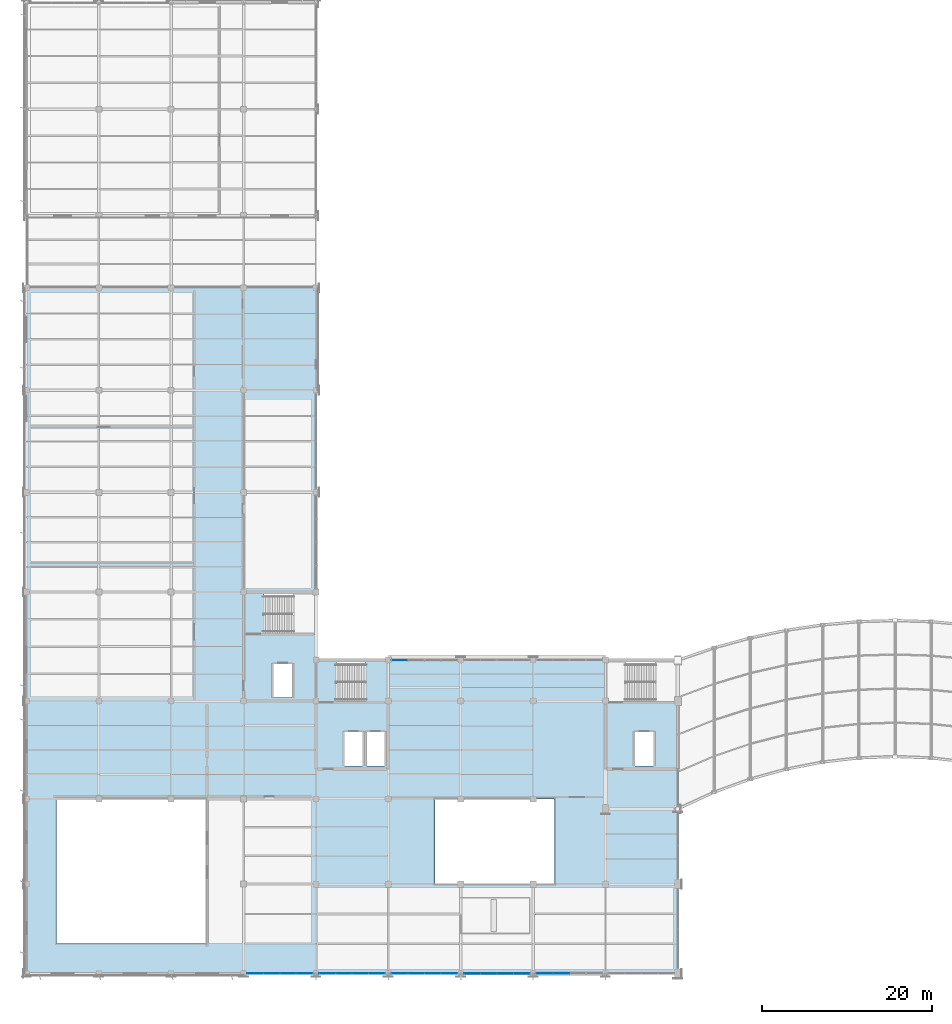
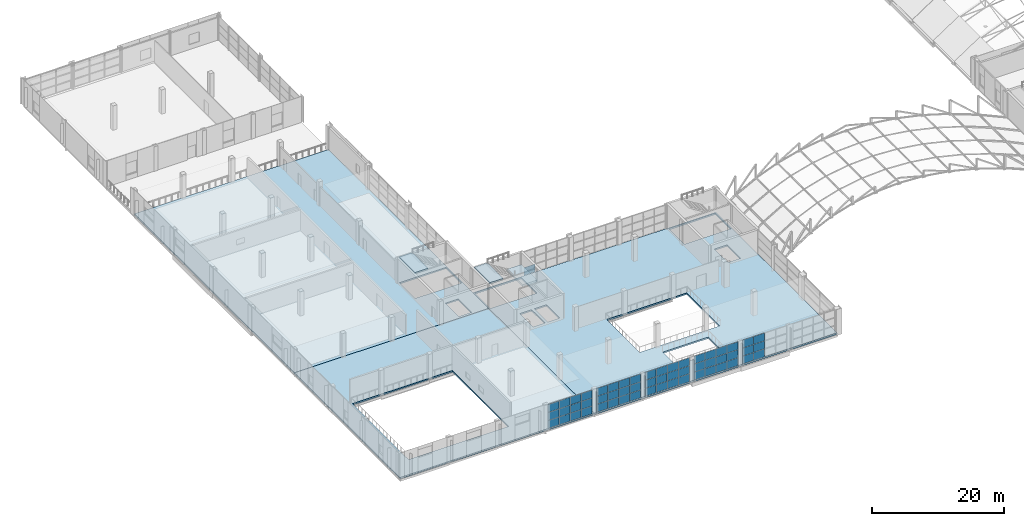
# One storey, part 76 of 101: 55 plates, 6 slabs, 8 elements without a shape of their own.
"""IFC4 building model written with IfcOpenShell, lengths in metres."""

from ifc_helpers import new_model, si_unit, direction, frame, origin, origin_2d, place, context, subcontext, project, spatial, polyline, rectangle, outline, extrude, material, layer, layer_set, type_object, element, aggregate, save


model = new_model("IFC4")

# Units and contexts
model_context = context("Model", 3, precision=1e-05, world=origin(), true_north=direction((0.0, 1.0)))
body_context = subcontext(model_context, "Body", "Model", "MODEL_VIEW")
ifc_project = project(units=[si_unit("LENGTHUNIT", "METRE"), si_unit("AREAUNIT", "SQUARE_METRE"), si_unit("VOLUMEUNIT", "CUBIC_METRE"), si_unit("PLANEANGLEUNIT", "RADIAN"), si_unit("MASSUNIT", "GRAM", prefix="KILO")], contexts=[model_context])

# Site, building, storey
site_placement = place(None, origin())
site = spatial("IfcSite", under=ifc_project, at=site_placement, CompositionType="ELEMENT")
building_placement = place(site_placement, origin())
building = spatial("IfcBuilding", under=site, at=building_placement, Name="Solvikara Media Centre", CompositionType="ELEMENT")
storey_placement = place(building_placement, frame((0.0, 0.0, 10.199951171875)))
storey = spatial("IfcBuildingStorey", under=building, at=storey_placement, Name="L02", CompositionType="ELEMENT", Elevation=10.199951171875)

# Curtain wall, plates
ifc_material_1 = material(Name="Anodised aluminium EN AW-6063", Category="aluminium")
curtain_wall_type_1 = type_object("IfcCurtainWallType", Name="CW-04", PredefinedType="NOTDEFINED", material=ifc_material_1)
curtain_wall_1_placement = place(storey_placement, origin())
curtain_wall_1 = element("IfcCurtainWall", 1, at=curtain_wall_1_placement, inside=storey, type_object=curtain_wall_type_1, Name="CW-L02-V6S-1", PredefinedType="NOTDEFINED")
ifc_material_2 = material(Name="Double-glazed low-E architectural glass", Category="glass")
ifc_layer_1 = layer(ifc_material_2, 0.035888671875)
ifc_layer_set_1 = layer_set([ifc_layer_1], Name="Double-glazed low-E architectural glass")
plate_type_1 = type_object("IfcPlateType", Name="PN-06", PredefinedType="CURTAIN_PANEL", material=ifc_layer_set_1)
plate_1_placement = place(storey_placement, frame((35.35498046875, 0.0, 0.034423828125), z_axis=(0.0, 0.0, 1.0), x_axis=(1.0, 0.0, 0.0)))
plate_1 = element("IfcPlate", 2, at=plate_1_placement, type_object=plate_type_1, Name="CW-L02-V6S-1-P0000", PredefinedType="CURTAIN_PANEL", context=body_context, shape_type="SweptSolid", body=[
    extrude(rectangle(XDim=1.89990234375, YDim=0.035888671875, at=origin_2d()), origin(), (0.0, 0.0, 1.0), 1.45703125),
])
plate_2_placement = place(storey_placement, frame((35.35498046875, 0.0, 3.008544921875), z_axis=(0.0, 0.0, 1.0), x_axis=(1.0, 0.0, 0.0)))
plate_2 = element("IfcPlate", 3, at=plate_2_placement, type_object=plate_type_1, Name="CW-L02-V6S-1-P0002", PredefinedType="CURTAIN_PANEL", context=body_context, shape_type="SweptSolid", body=[
    extrude(rectangle(XDim=1.89990234375, YDim=0.035888671875, at=origin_2d()), origin(), (0.0, 0.0, 1.0), 1.45703125),
])
plate_3_placement = place(storey_placement, frame((37.284912109375, 0.0, 1.521484375), z_axis=(0.0, 0.0, 1.0), x_axis=(1.0, 0.0, 0.0)))
plate_3 = element("IfcPlate", 4, at=plate_3_placement, type_object=plate_type_1, Name="CW-L02-V6S-1-P0101", PredefinedType="CURTAIN_PANEL", context=body_context, shape_type="SweptSolid", body=[
    extrude(rectangle(XDim=1.89990234375, YDim=0.035888671875, at=origin_2d()), origin(), (0.0, 0.0, 1.0), 1.45703125),
])
plate_4_placement = place(storey_placement, frame((39.215087890625, 0.0, 0.034423828125), z_axis=(0.0, 0.0, 1.0), x_axis=(1.0, 0.0, 0.0)))
plate_4 = element("IfcPlate", 5, at=plate_4_placement, type_object=plate_type_1, Name="CW-L02-V6S-1-P0200", PredefinedType="CURTAIN_PANEL", context=body_context, shape_type="SweptSolid", body=[
    extrude(rectangle(XDim=1.89990234375, YDim=0.035888671875, at=origin_2d()), origin(), (0.0, 0.0, 1.0), 1.45703125),
])
plate_5_placement = place(storey_placement, frame((39.215087890625, 0.0, 3.008544921875), z_axis=(0.0, 0.0, 1.0), x_axis=(1.0, 0.0, 0.0)))
plate_5 = element("IfcPlate", 6, at=plate_5_placement, type_object=plate_type_1, Name="CW-L02-V6S-1-P0202", PredefinedType="CURTAIN_PANEL", context=body_context, shape_type="SweptSolid", body=[
    extrude(rectangle(XDim=1.89990234375, YDim=0.035888671875, at=origin_2d()), origin(), (0.0, 0.0, 1.0), 1.45703125),
])
plate_6_placement = place(storey_placement, frame((41.14501953125, 0.0, 1.521484375), z_axis=(0.0, 0.0, 1.0), x_axis=(1.0, 0.0, 0.0)))
plate_6 = element("IfcPlate", 7, at=plate_6_placement, type_object=plate_type_1, Name="CW-L02-V6S-1-P0301", PredefinedType="CURTAIN_PANEL", context=body_context, shape_type="SweptSolid", body=[
    extrude(rectangle(XDim=1.89990234375, YDim=0.035888671875, at=origin_2d()), origin(), (0.0, 0.0, 1.0), 1.45703125),
])

curtain_wall_2_placement = place(storey_placement, origin())
curtain_wall_2 = element("IfcCurtainWall", 8, at=curtain_wall_2_placement, inside=storey, type_object=curtain_wall_type_1, Name="CW-L02-V6S-2", PredefinedType="NOTDEFINED")
plate_7_placement = place(storey_placement, frame((43.85498046875, 0.0, 0.034423828125), z_axis=(0.0, 0.0, 1.0), x_axis=(1.0, 0.0, 0.0)))
plate_7 = element("IfcPlate", 9, at=plate_7_placement, type_object=plate_type_1, Name="CW-L02-V6S-2-P0000", PredefinedType="CURTAIN_PANEL", context=body_context, shape_type="SweptSolid", body=[
    extrude(rectangle(XDim=1.89990234375, YDim=0.035888671875, at=origin_2d()), origin(), (0.0, 0.0, 1.0), 1.45703125),
])
plate_8_placement = place(storey_placement, frame((43.85498046875, 0.0, 3.008544921875), z_axis=(0.0, 0.0, 1.0), x_axis=(1.0, 0.0, 0.0)))
plate_8 = element("IfcPlate", 10, at=plate_8_placement, type_object=plate_type_1, Name="CW-L02-V6S-2-P0002", PredefinedType="CURTAIN_PANEL", context=body_context, shape_type="SweptSolid", body=[
    extrude(rectangle(XDim=1.89990234375, YDim=0.035888671875, at=origin_2d()), origin(), (0.0, 0.0, 1.0), 1.45703125),
])
plate_9_placement = place(storey_placement, frame((45.784912109375, 0.0, 1.521484375), z_axis=(0.0, 0.0, 1.0), x_axis=(1.0, 0.0, 0.0)))
plate_9 = element("IfcPlate", 11, at=plate_9_placement, type_object=plate_type_1, Name="CW-L02-V6S-2-P0101", PredefinedType="CURTAIN_PANEL", context=body_context, shape_type="SweptSolid", body=[
    extrude(rectangle(XDim=1.89990234375, YDim=0.035888671875, at=origin_2d()), origin(), (0.0, 0.0, 1.0), 1.45703125),
])
plate_10_placement = place(storey_placement, frame((47.715087890625, 0.0, 0.034423828125), z_axis=(0.0, 0.0, 1.0), x_axis=(1.0, 0.0, 0.0)))
plate_10 = element("IfcPlate", 12, at=plate_10_placement, type_object=plate_type_1, Name="CW-L02-V6S-2-P0200", PredefinedType="CURTAIN_PANEL", context=body_context, shape_type="SweptSolid", body=[
    extrude(rectangle(XDim=1.89990234375, YDim=0.035888671875, at=origin_2d()), origin(), (0.0, 0.0, 1.0), 1.45703125),
])
plate_11_placement = place(storey_placement, frame((47.715087890625, 0.0, 3.008544921875), z_axis=(0.0, 0.0, 1.0), x_axis=(1.0, 0.0, 0.0)))
plate_11 = element("IfcPlate", 13, at=plate_11_placement, type_object=plate_type_1, Name="CW-L02-V6S-2-P0202", PredefinedType="CURTAIN_PANEL", context=body_context, shape_type="SweptSolid", body=[
    extrude(rectangle(XDim=1.89990234375, YDim=0.035888671875, at=origin_2d()), origin(), (0.0, 0.0, 1.0), 1.45703125),
])
plate_12_placement = place(storey_placement, frame((49.64501953125, 0.0, 1.521484375), z_axis=(0.0, 0.0, 1.0), x_axis=(1.0, 0.0, 0.0)))
plate_12 = element("IfcPlate", 14, at=plate_12_placement, type_object=plate_type_1, Name="CW-L02-V6S-2-P0301", PredefinedType="CURTAIN_PANEL", context=body_context, shape_type="SweptSolid", body=[
    extrude(rectangle(XDim=1.89990234375, YDim=0.035888671875, at=origin_2d()), origin(), (0.0, 0.0, 1.0), 1.45703125),
])

curtain_wall_3_placement = place(storey_placement, origin())
curtain_wall_3 = element("IfcCurtainWall", 15, at=curtain_wall_3_placement, inside=storey, type_object=curtain_wall_type_1, Name="CW-L02-V6S-3", PredefinedType="NOTDEFINED")
plate_13_placement = place(storey_placement, frame((52.35498046875, 0.0, 0.034423828125), z_axis=(0.0, 0.0, 1.0), x_axis=(1.0, 0.0, 0.0)))
plate_13 = element("IfcPlate", 16, at=plate_13_placement, type_object=plate_type_1, Name="CW-L02-V6S-3-P0000", PredefinedType="CURTAIN_PANEL", context=body_context, shape_type="SweptSolid", body=[
    extrude(rectangle(XDim=1.89990234375, YDim=0.035888671875, at=origin_2d()), origin(), (0.0, 0.0, 1.0), 1.45703125),
])
plate_14_placement = place(storey_placement, frame((52.35498046875, 0.0, 3.008544921875), z_axis=(0.0, 0.0, 1.0), x_axis=(1.0, 0.0, 0.0)))
plate_14 = element("IfcPlate", 17, at=plate_14_placement, type_object=plate_type_1, Name="CW-L02-V6S-3-P0002", PredefinedType="CURTAIN_PANEL", context=body_context, shape_type="SweptSolid", body=[
    extrude(rectangle(XDim=1.89990234375, YDim=0.035888671875, at=origin_2d()), origin(), (0.0, 0.0, 1.0), 1.45703125),
])
plate_15_placement = place(storey_placement, frame((54.284912109375, 0.0, 1.521484375), z_axis=(0.0, 0.0, 1.0), x_axis=(1.0, 0.0, 0.0)))
plate_15 = element("IfcPlate", 18, at=plate_15_placement, type_object=plate_type_1, Name="CW-L02-V6S-3-P0101", PredefinedType="CURTAIN_PANEL", context=body_context, shape_type="SweptSolid", body=[
    extrude(rectangle(XDim=1.89990234375, YDim=0.035888671875, at=origin_2d()), origin(), (0.0, 0.0, 1.0), 1.45703125),
])
plate_16_placement = place(storey_placement, frame((56.215087890625, 0.0, 0.034423828125), z_axis=(0.0, 0.0, 1.0), x_axis=(1.0, 0.0, 0.0)))
plate_16 = element("IfcPlate", 19, at=plate_16_placement, type_object=plate_type_1, Name="CW-L02-V6S-3-P0200", PredefinedType="CURTAIN_PANEL", context=body_context, shape_type="SweptSolid", body=[
    extrude(rectangle(XDim=1.89990234375, YDim=0.035888671875, at=origin_2d()), origin(), (0.0, 0.0, 1.0), 1.45703125),
])
plate_17_placement = place(storey_placement, frame((56.215087890625, 0.0, 3.008544921875), z_axis=(0.0, 0.0, 1.0), x_axis=(1.0, 0.0, 0.0)))
plate_17 = element("IfcPlate", 20, at=plate_17_placement, type_object=plate_type_1, Name="CW-L02-V6S-3-P0202", PredefinedType="CURTAIN_PANEL", context=body_context, shape_type="SweptSolid", body=[
    extrude(rectangle(XDim=1.89990234375, YDim=0.035888671875, at=origin_2d()), origin(), (0.0, 0.0, 1.0), 1.45703125),
])
plate_18_placement = place(storey_placement, frame((58.14501953125, 0.0, 1.521484375), z_axis=(0.0, 0.0, 1.0), x_axis=(1.0, 0.0, 0.0)))
plate_18 = element("IfcPlate", 21, at=plate_18_placement, type_object=plate_type_1, Name="CW-L02-V6S-3-P0301", PredefinedType="CURTAIN_PANEL", context=body_context, shape_type="SweptSolid", body=[
    extrude(rectangle(XDim=1.89990234375, YDim=0.035888671875, at=origin_2d()), origin(), (0.0, 0.0, 1.0), 1.45703125),
])

curtain_wall_4_placement = place(storey_placement, origin())
curtain_wall_4 = element("IfcCurtainWall", 22, at=curtain_wall_4_placement, inside=storey, type_object=curtain_wall_type_1, Name="CW-L02-V6S-4", PredefinedType="NOTDEFINED")
plate_19_placement = place(storey_placement, frame((60.85498046875, 0.0, 0.034423828125), z_axis=(0.0, 0.0, 1.0), x_axis=(1.0, 0.0, 0.0)))
plate_19 = element("IfcPlate", 23, at=plate_19_placement, type_object=plate_type_1, Name="CW-L02-V6S-4-P0000", PredefinedType="CURTAIN_PANEL", context=body_context, shape_type="SweptSolid", body=[
    extrude(rectangle(XDim=1.89990234375, YDim=0.035888671875, at=origin_2d()), origin(), (0.0, 0.0, 1.0), 1.45703125),
])
plate_20_placement = place(storey_placement, frame((60.85498046875, 0.0, 3.008544921875), z_axis=(0.0, 0.0, 1.0), x_axis=(1.0, 0.0, 0.0)))
plate_20 = element("IfcPlate", 24, at=plate_20_placement, type_object=plate_type_1, Name="CW-L02-V6S-4-P0002", PredefinedType="CURTAIN_PANEL", context=body_context, shape_type="SweptSolid", body=[
    extrude(rectangle(XDim=1.89990234375, YDim=0.035888671875, at=origin_2d()), origin(), (0.0, 0.0, 1.0), 1.45703125),
])
plate_21_placement = place(storey_placement, frame((62.784912109375, 0.0, 1.521484375), z_axis=(0.0, 0.0, 1.0), x_axis=(1.0, 0.0, 0.0)))
plate_21 = element("IfcPlate", 25, at=plate_21_placement, type_object=plate_type_1, Name="CW-L02-V6S-4-P0101", PredefinedType="CURTAIN_PANEL", context=body_context, shape_type="SweptSolid", body=[
    extrude(rectangle(XDim=1.89990234375, YDim=0.035888671875, at=origin_2d()), origin(), (0.0, 0.0, 1.0), 1.45703125),
])

# Plate
ifc_material_3 = material(Name="Insulated silver-pearl glass spandrel panel", Category="glass")
ifc_layer_2 = layer(ifc_material_3, 0.054931640625)
ifc_layer_set_2 = layer_set([ifc_layer_2], Name="Insulated silver-pearl glass spandrel panel")
plate_type_2 = type_object("IfcPlateType", Name="PN-07", PredefinedType="CURTAIN_PANEL", material=ifc_layer_set_2)
plate_22_placement = place(storey_placement, frame((35.35498046875, 0.0, 1.521484375), z_axis=(0.0, 0.0, 1.0), x_axis=(1.0, 0.0, 0.0)))
plate_22 = element("IfcPlate", 26, at=plate_22_placement, type_object=plate_type_2, Name="CW-L02-V6S-1-P0001", PredefinedType="CURTAIN_PANEL", context=body_context, shape_type="SweptSolid", body=[
    extrude(rectangle(XDim=1.89990234375, YDim=0.054931640625, at=origin_2d()), origin(), (0.0, 0.0, 1.0), 1.45703125),
])

plate_23_placement = place(storey_placement, frame((37.284912109375, 0.0, 0.034423828125), z_axis=(0.0, 0.0, 1.0), x_axis=(1.0, 0.0, 0.0)))
plate_23 = element("IfcPlate", 27, at=plate_23_placement, type_object=plate_type_2, Name="CW-L02-V6S-1-P0100", PredefinedType="CURTAIN_PANEL", context=body_context, shape_type="SweptSolid", body=[
    extrude(rectangle(XDim=1.89990234375, YDim=0.054931640625, at=origin_2d()), origin(), (0.0, 0.0, 1.0), 1.45703125),
])

plate_24_placement = place(storey_placement, frame((37.284912109375, 0.0, 3.008544921875), z_axis=(0.0, 0.0, 1.0), x_axis=(1.0, 0.0, 0.0)))
plate_24 = element("IfcPlate", 28, at=plate_24_placement, type_object=plate_type_2, Name="CW-L02-V6S-1-P0102", PredefinedType="CURTAIN_PANEL", context=body_context, shape_type="SweptSolid", body=[
    extrude(rectangle(XDim=1.89990234375, YDim=0.054931640625, at=origin_2d()), origin(), (0.0, 0.0, 1.0), 1.45703125),
])

plate_25_placement = place(storey_placement, frame((39.215087890625, 0.0, 1.521484375), z_axis=(0.0, 0.0, 1.0), x_axis=(1.0, 0.0, 0.0)))
plate_25 = element("IfcPlate", 29, at=plate_25_placement, type_object=plate_type_2, Name="CW-L02-V6S-1-P0201", PredefinedType="CURTAIN_PANEL", context=body_context, shape_type="SweptSolid", body=[
    extrude(rectangle(XDim=1.89990234375, YDim=0.054931640625, at=origin_2d()), origin(), (0.0, 0.0, 1.0), 1.45703125),
])

plate_26_placement = place(storey_placement, frame((41.14501953125, 0.0, 0.034423828125), z_axis=(0.0, 0.0, 1.0), x_axis=(1.0, 0.0, 0.0)))
plate_26 = element("IfcPlate", 30, at=plate_26_placement, type_object=plate_type_2, Name="CW-L02-V6S-1-P0300", PredefinedType="CURTAIN_PANEL", context=body_context, shape_type="SweptSolid", body=[
    extrude(rectangle(XDim=1.89990234375, YDim=0.054931640625, at=origin_2d()), origin(), (0.0, 0.0, 1.0), 1.45703125),
])

plate_27_placement = place(storey_placement, frame((41.14501953125, 0.0, 3.008544921875), z_axis=(0.0, 0.0, 1.0), x_axis=(1.0, 0.0, 0.0)))
plate_27 = element("IfcPlate", 31, at=plate_27_placement, type_object=plate_type_2, Name="CW-L02-V6S-1-P0302", PredefinedType="CURTAIN_PANEL", context=body_context, shape_type="SweptSolid", body=[
    extrude(rectangle(XDim=1.89990234375, YDim=0.054931640625, at=origin_2d()), origin(), (0.0, 0.0, 1.0), 1.45703125),
])

aggregate(curtain_wall_1, [plate_1, plate_22, plate_2, plate_23, plate_3, plate_24, plate_4, plate_25, plate_5, plate_26, plate_6, plate_27])

plate_28_placement = place(storey_placement, frame((43.85498046875, 0.0, 1.521484375), z_axis=(0.0, 0.0, 1.0), x_axis=(1.0, 0.0, 0.0)))
plate_28 = element("IfcPlate", 32, at=plate_28_placement, type_object=plate_type_2, Name="CW-L02-V6S-2-P0001", PredefinedType="CURTAIN_PANEL", context=body_context, shape_type="SweptSolid", body=[
    extrude(rectangle(XDim=1.89990234375, YDim=0.054931640625, at=origin_2d()), origin(), (0.0, 0.0, 1.0), 1.45703125),
])

plate_29_placement = place(storey_placement, frame((45.784912109375, 0.0, 0.034423828125), z_axis=(0.0, 0.0, 1.0), x_axis=(1.0, 0.0, 0.0)))
plate_29 = element("IfcPlate", 33, at=plate_29_placement, type_object=plate_type_2, Name="CW-L02-V6S-2-P0100", PredefinedType="CURTAIN_PANEL", context=body_context, shape_type="SweptSolid", body=[
    extrude(rectangle(XDim=1.89990234375, YDim=0.054931640625, at=origin_2d()), origin(), (0.0, 0.0, 1.0), 1.45703125),
])

plate_30_placement = place(storey_placement, frame((45.784912109375, 0.0, 3.008544921875), z_axis=(0.0, 0.0, 1.0), x_axis=(1.0, 0.0, 0.0)))
plate_30 = element("IfcPlate", 34, at=plate_30_placement, type_object=plate_type_2, Name="CW-L02-V6S-2-P0102", PredefinedType="CURTAIN_PANEL", context=body_context, shape_type="SweptSolid", body=[
    extrude(rectangle(XDim=1.89990234375, YDim=0.054931640625, at=origin_2d()), origin(), (0.0, 0.0, 1.0), 1.45703125),
])

plate_31_placement = place(storey_placement, frame((47.715087890625, 0.0, 1.521484375), z_axis=(0.0, 0.0, 1.0), x_axis=(1.0, 0.0, 0.0)))
plate_31 = element("IfcPlate", 35, at=plate_31_placement, type_object=plate_type_2, Name="CW-L02-V6S-2-P0201", PredefinedType="CURTAIN_PANEL", context=body_context, shape_type="SweptSolid", body=[
    extrude(rectangle(XDim=1.89990234375, YDim=0.054931640625, at=origin_2d()), origin(), (0.0, 0.0, 1.0), 1.45703125),
])

plate_32_placement = place(storey_placement, frame((49.64501953125, 0.0, 0.034423828125), z_axis=(0.0, 0.0, 1.0), x_axis=(1.0, 0.0, 0.0)))
plate_32 = element("IfcPlate", 36, at=plate_32_placement, type_object=plate_type_2, Name="CW-L02-V6S-2-P0300", PredefinedType="CURTAIN_PANEL", context=body_context, shape_type="SweptSolid", body=[
    extrude(rectangle(XDim=1.89990234375, YDim=0.054931640625, at=origin_2d()), origin(), (0.0, 0.0, 1.0), 1.45703125),
])

plate_33_placement = place(storey_placement, frame((49.64501953125, 0.0, 3.008544921875), z_axis=(0.0, 0.0, 1.0), x_axis=(1.0, 0.0, 0.0)))
plate_33 = element("IfcPlate", 37, at=plate_33_placement, type_object=plate_type_2, Name="CW-L02-V6S-2-P0302", PredefinedType="CURTAIN_PANEL", context=body_context, shape_type="SweptSolid", body=[
    extrude(rectangle(XDim=1.89990234375, YDim=0.054931640625, at=origin_2d()), origin(), (0.0, 0.0, 1.0), 1.45703125),
])

aggregate(curtain_wall_2, [plate_7, plate_28, plate_8, plate_29, plate_9, plate_30, plate_10, plate_31, plate_11, plate_32, plate_12, plate_33])

plate_34_placement = place(storey_placement, frame((52.35498046875, 0.0, 1.521484375), z_axis=(0.0, 0.0, 1.0), x_axis=(1.0, 0.0, 0.0)))
plate_34 = element("IfcPlate", 38, at=plate_34_placement, type_object=plate_type_2, Name="CW-L02-V6S-3-P0001", PredefinedType="CURTAIN_PANEL", context=body_context, shape_type="SweptSolid", body=[
    extrude(rectangle(XDim=1.89990234375, YDim=0.054931640625, at=origin_2d()), origin(), (0.0, 0.0, 1.0), 1.45703125),
])

plate_35_placement = place(storey_placement, frame((54.284912109375, 0.0, 0.034423828125), z_axis=(0.0, 0.0, 1.0), x_axis=(1.0, 0.0, 0.0)))
plate_35 = element("IfcPlate", 39, at=plate_35_placement, type_object=plate_type_2, Name="CW-L02-V6S-3-P0100", PredefinedType="CURTAIN_PANEL", context=body_context, shape_type="SweptSolid", body=[
    extrude(rectangle(XDim=1.89990234375, YDim=0.054931640625, at=origin_2d()), origin(), (0.0, 0.0, 1.0), 1.45703125),
])

plate_36_placement = place(storey_placement, frame((54.284912109375, 0.0, 3.008544921875), z_axis=(0.0, 0.0, 1.0), x_axis=(1.0, 0.0, 0.0)))
plate_36 = element("IfcPlate", 40, at=plate_36_placement, type_object=plate_type_2, Name="CW-L02-V6S-3-P0102", PredefinedType="CURTAIN_PANEL", context=body_context, shape_type="SweptSolid", body=[
    extrude(rectangle(XDim=1.89990234375, YDim=0.054931640625, at=origin_2d()), origin(), (0.0, 0.0, 1.0), 1.45703125),
])

plate_37_placement = place(storey_placement, frame((56.215087890625, 0.0, 1.521484375), z_axis=(0.0, 0.0, 1.0), x_axis=(1.0, 0.0, 0.0)))
plate_37 = element("IfcPlate", 41, at=plate_37_placement, type_object=plate_type_2, Name="CW-L02-V6S-3-P0201", PredefinedType="CURTAIN_PANEL", context=body_context, shape_type="SweptSolid", body=[
    extrude(rectangle(XDim=1.89990234375, YDim=0.054931640625, at=origin_2d()), origin(), (0.0, 0.0, 1.0), 1.45703125),
])

plate_38_placement = place(storey_placement, frame((58.14501953125, 0.0, 0.034423828125), z_axis=(0.0, 0.0, 1.0), x_axis=(1.0, 0.0, 0.0)))
plate_38 = element("IfcPlate", 42, at=plate_38_placement, type_object=plate_type_2, Name="CW-L02-V6S-3-P0300", PredefinedType="CURTAIN_PANEL", context=body_context, shape_type="SweptSolid", body=[
    extrude(rectangle(XDim=1.89990234375, YDim=0.054931640625, at=origin_2d()), origin(), (0.0, 0.0, 1.0), 1.45703125),
])

plate_39_placement = place(storey_placement, frame((58.14501953125, 0.0, 3.008544921875), z_axis=(0.0, 0.0, 1.0), x_axis=(1.0, 0.0, 0.0)))
plate_39 = element("IfcPlate", 43, at=plate_39_placement, type_object=plate_type_2, Name="CW-L02-V6S-3-P0302", PredefinedType="CURTAIN_PANEL", context=body_context, shape_type="SweptSolid", body=[
    extrude(rectangle(XDim=1.89990234375, YDim=0.054931640625, at=origin_2d()), origin(), (0.0, 0.0, 1.0), 1.45703125),
])

aggregate(curtain_wall_3, [plate_13, plate_34, plate_14, plate_35, plate_15, plate_36, plate_16, plate_37, plate_17, plate_38, plate_18, plate_39])

plate_40_placement = place(storey_placement, frame((60.85498046875, 0.0, 1.521484375), z_axis=(0.0, 0.0, 1.0), x_axis=(1.0, 0.0, 0.0)))
plate_40 = element("IfcPlate", 44, at=plate_40_placement, type_object=plate_type_2, Name="CW-L02-V6S-4-P0001", PredefinedType="CURTAIN_PANEL", context=body_context, shape_type="SweptSolid", body=[
    extrude(rectangle(XDim=1.89990234375, YDim=0.054931640625, at=origin_2d()), origin(), (0.0, 0.0, 1.0), 1.45703125),
])

plate_41_placement = place(storey_placement, frame((62.784912109375, 0.0, 0.034423828125), z_axis=(0.0, 0.0, 1.0), x_axis=(1.0, 0.0, 0.0)))
plate_41 = element("IfcPlate", 45, at=plate_41_placement, type_object=plate_type_2, Name="CW-L02-V6S-4-P0100", PredefinedType="CURTAIN_PANEL", context=body_context, shape_type="SweptSolid", body=[
    extrude(rectangle(XDim=1.89990234375, YDim=0.054931640625, at=origin_2d()), origin(), (0.0, 0.0, 1.0), 1.45703125),
])

plate_42_placement = place(storey_placement, frame((62.784912109375, 0.0, 3.008544921875), z_axis=(0.0, 0.0, 1.0), x_axis=(1.0, 0.0, 0.0)))
plate_42 = element("IfcPlate", 46, at=plate_42_placement, type_object=plate_type_2, Name="CW-L02-V6S-4-P0102", PredefinedType="CURTAIN_PANEL", context=body_context, shape_type="SweptSolid", body=[
    extrude(rectangle(XDim=1.89990234375, YDim=0.054931640625, at=origin_2d()), origin(), (0.0, 0.0, 1.0), 1.45703125),
])

aggregate(curtain_wall_4, [plate_19, plate_40, plate_20, plate_41, plate_21, plate_42])

# Curtain wall, plate
curtain_wall_type_2 = type_object("IfcCurtainWallType", Name="CW-05", PredefinedType="NOTDEFINED", material=ifc_material_1)
curtain_wall_5_placement = place(storey_placement, origin())
curtain_wall_5 = element("IfcCurtainWall", 47, at=curtain_wall_5_placement, inside=storey, type_object=curtain_wall_type_2, Name="CW-L02-V6N-1", PredefinedType="NOTDEFINED")
ifc_material_4 = material(Name="Ceramic-fritted teal low-E glass", Category="glass")
ifc_layer_3 = layer(ifc_material_4, 0.0380859375)
ifc_layer_set_3 = layer_set([ifc_layer_3], Name="Ceramic-fritted teal low-E glass")
plate_type_3 = type_object("IfcPlateType", Name="PN-08", PredefinedType="CURTAIN_PANEL", material=ifc_layer_set_3)
plate_43_placement = place(storey_placement, frame((43.85498046875, 36.800048828125, 0.034423828125), z_axis=(0.0, 0.0, 1.0), x_axis=(1.0, 0.0, 0.0)))
plate_43 = element("IfcPlate", 48, at=plate_43_placement, type_object=plate_type_3, Name="CW-L02-V6N-1-P0000", PredefinedType="CURTAIN_PANEL", context=body_context, shape_type="SweptSolid", body=[
    extrude(rectangle(XDim=1.89990234375, YDim=0.0380859375, at=origin_2d()), origin(), (0.0, 0.0, 1.0), 1.45703125),
])
aggregate(curtain_wall_5, [plate_43])

# Curtain wall, plates
curtain_wall_type_3 = type_object("IfcCurtainWallType", Name="CW-07", PredefinedType="NOTDEFINED", material=ifc_material_1)
curtain_wall_6_placement = place(storey_placement, origin())
curtain_wall_6 = element("IfcCurtainWall", 49, at=curtain_wall_6_placement, inside=storey, type_object=curtain_wall_type_3, Name="CW-L02-V1SE", PredefinedType="NOTDEFINED")
ifc_layer_4 = layer(ifc_material_2, 0.035888671875)
ifc_layer_set_4 = layer_set([ifc_layer_4], Name="Double-glazed low-E architectural glass")
plate_type_4 = type_object("IfcPlateType", Name="PN-10", PredefinedType="CURTAIN_PANEL", material=ifc_layer_set_4)
plate_44_placement = place(storey_placement, frame((26.85498046875, 0.0, 0.034423828125), z_axis=(0.0, 0.0, 1.0), x_axis=(1.0, 0.0, 0.0)))
plate_44 = element("IfcPlate", 50, at=plate_44_placement, type_object=plate_type_4, Name="CW-L02-V1SE-P0000", PredefinedType="CURTAIN_PANEL", context=body_context, shape_type="SweptSolid", body=[
    extrude(rectangle(XDim=1.89990234375, YDim=0.035888671875, at=origin_2d()), origin(), (0.0, 0.0, 1.0), 1.45703125),
])
plate_45_placement = place(storey_placement, frame((26.85498046875, 0.0, 3.008544921875), z_axis=(0.0, 0.0, 1.0), x_axis=(1.0, 0.0, 0.0)))
plate_45 = element("IfcPlate", 51, at=plate_45_placement, type_object=plate_type_4, Name="CW-L02-V1SE-P0002", PredefinedType="CURTAIN_PANEL", context=body_context, shape_type="SweptSolid", body=[
    extrude(rectangle(XDim=1.89990234375, YDim=0.035888671875, at=origin_2d()), origin(), (0.0, 0.0, 1.0), 1.45703125),
])
plate_46_placement = place(storey_placement, frame((28.784912109375, 0.0, 1.521484375), z_axis=(0.0, 0.0, 1.0), x_axis=(1.0, 0.0, 0.0)))
plate_46 = element("IfcPlate", 52, at=plate_46_placement, type_object=plate_type_4, Name="CW-L02-V1SE-P0101", PredefinedType="CURTAIN_PANEL", context=body_context, shape_type="SweptSolid", body=[
    extrude(rectangle(XDim=1.89990234375, YDim=0.035888671875, at=origin_2d()), origin(), (0.0, 0.0, 1.0), 1.45703125),
])
plate_47_placement = place(storey_placement, frame((30.715087890625, 0.0, 0.034423828125), z_axis=(0.0, 0.0, 1.0), x_axis=(1.0, 0.0, 0.0)))
plate_47 = element("IfcPlate", 53, at=plate_47_placement, type_object=plate_type_4, Name="CW-L02-V1SE-P0200", PredefinedType="CURTAIN_PANEL", context=body_context, shape_type="SweptSolid", body=[
    extrude(rectangle(XDim=1.89990234375, YDim=0.035888671875, at=origin_2d()), origin(), (0.0, 0.0, 1.0), 1.45703125),
])
plate_48_placement = place(storey_placement, frame((30.715087890625, 0.0, 3.008544921875), z_axis=(0.0, 0.0, 1.0), x_axis=(1.0, 0.0, 0.0)))
plate_48 = element("IfcPlate", 54, at=plate_48_placement, type_object=plate_type_4, Name="CW-L02-V1SE-P0202", PredefinedType="CURTAIN_PANEL", context=body_context, shape_type="SweptSolid", body=[
    extrude(rectangle(XDim=1.89990234375, YDim=0.035888671875, at=origin_2d()), origin(), (0.0, 0.0, 1.0), 1.45703125),
])
plate_49_placement = place(storey_placement, frame((32.64501953125, 0.0, 1.521484375), z_axis=(0.0, 0.0, 1.0), x_axis=(1.0, 0.0, 0.0)))
plate_49 = element("IfcPlate", 55, at=plate_49_placement, type_object=plate_type_4, Name="CW-L02-V1SE-P0301", PredefinedType="CURTAIN_PANEL", context=body_context, shape_type="SweptSolid", body=[
    extrude(rectangle(XDim=1.89990234375, YDim=0.035888671875, at=origin_2d()), origin(), (0.0, 0.0, 1.0), 1.45703125),
])
ifc_layer_5 = layer(ifc_material_3, 0.054931640625)
ifc_layer_set_5 = layer_set([ifc_layer_5], Name="Insulated silver-pearl glass spandrel panel")
plate_type_5 = type_object("IfcPlateType", Name="PN-11", PredefinedType="CURTAIN_PANEL", material=ifc_layer_set_5)
plate_50_placement = place(storey_placement, frame((26.85498046875, 0.0, 1.521484375), z_axis=(0.0, 0.0, 1.0), x_axis=(1.0, 0.0, 0.0)))
plate_50 = element("IfcPlate", 56, at=plate_50_placement, type_object=plate_type_5, Name="CW-L02-V1SE-P0001", PredefinedType="CURTAIN_PANEL", context=body_context, shape_type="SweptSolid", body=[
    extrude(rectangle(XDim=1.89990234375, YDim=0.054931640625, at=origin_2d()), origin(), (0.0, 0.0, 1.0), 1.45703125),
])
plate_51_placement = place(storey_placement, frame((28.784912109375, 0.0, 0.034423828125), z_axis=(0.0, 0.0, 1.0), x_axis=(1.0, 0.0, 0.0)))
plate_51 = element("IfcPlate", 57, at=plate_51_placement, type_object=plate_type_5, Name="CW-L02-V1SE-P0100", PredefinedType="CURTAIN_PANEL", context=body_context, shape_type="SweptSolid", body=[
    extrude(rectangle(XDim=1.89990234375, YDim=0.054931640625, at=origin_2d()), origin(), (0.0, 0.0, 1.0), 1.45703125),
])
plate_52_placement = place(storey_placement, frame((28.784912109375, 0.0, 3.008544921875), z_axis=(0.0, 0.0, 1.0), x_axis=(1.0, 0.0, 0.0)))
plate_52 = element("IfcPlate", 58, at=plate_52_placement, type_object=plate_type_5, Name="CW-L02-V1SE-P0102", PredefinedType="CURTAIN_PANEL", context=body_context, shape_type="SweptSolid", body=[
    extrude(rectangle(XDim=1.89990234375, YDim=0.054931640625, at=origin_2d()), origin(), (0.0, 0.0, 1.0), 1.45703125),
])
plate_53_placement = place(storey_placement, frame((30.715087890625, 0.0, 1.521484375), z_axis=(0.0, 0.0, 1.0), x_axis=(1.0, 0.0, 0.0)))
plate_53 = element("IfcPlate", 59, at=plate_53_placement, type_object=plate_type_5, Name="CW-L02-V1SE-P0201", PredefinedType="CURTAIN_PANEL", context=body_context, shape_type="SweptSolid", body=[
    extrude(rectangle(XDim=1.89990234375, YDim=0.054931640625, at=origin_2d()), origin(), (0.0, 0.0, 1.0), 1.45703125),
])
plate_54_placement = place(storey_placement, frame((32.64501953125, 0.0, 0.034423828125), z_axis=(0.0, 0.0, 1.0), x_axis=(1.0, 0.0, 0.0)))
plate_54 = element("IfcPlate", 60, at=plate_54_placement, type_object=plate_type_5, Name="CW-L02-V1SE-P0300", PredefinedType="CURTAIN_PANEL", context=body_context, shape_type="SweptSolid", body=[
    extrude(rectangle(XDim=1.89990234375, YDim=0.054931640625, at=origin_2d()), origin(), (0.0, 0.0, 1.0), 1.45703125),
])
plate_55_placement = place(storey_placement, frame((32.64501953125, 0.0, 3.008544921875), z_axis=(0.0, 0.0, 1.0), x_axis=(1.0, 0.0, 0.0)))
plate_55 = element("IfcPlate", 61, at=plate_55_placement, type_object=plate_type_5, Name="CW-L02-V1SE-P0302", PredefinedType="CURTAIN_PANEL", context=body_context, shape_type="SweptSolid", body=[
    extrude(rectangle(XDim=1.89990234375, YDim=0.054931640625, at=origin_2d()), origin(), (0.0, 0.0, 1.0), 1.45703125),
])
aggregate(curtain_wall_6, [plate_44, plate_50, plate_45, plate_51, plate_46, plate_52, plate_47, plate_53, plate_48, plate_54, plate_49, plate_55])

# Slabs
ifc_material_5 = material(Name="Concrete fc' 35 MPa (C35/45)", Category="concrete")
ifc_layer_6 = layer(ifc_material_5, 0.280029296875)
ifc_layer_set_6 = layer_set([ifc_layer_6], Name="Concrete fc' 35 MPa (C35/45)")
slab_type_1 = type_object("IfcSlabType", Name="ST-05", PredefinedType="FLOOR", material=ifc_layer_set_6)
slab_1_placement = place(storey_placement, frame((0.0, 0.0, -0.280029296875)))
element("IfcSlab", 62, at=slab_1_placement, inside=storey, type_object=slab_type_1, Name="SL-L02-V6", PredefinedType="FLOOR", context=body_context, shape_type="SweptSolid", body=[
    extrude(outline(polyline([(34.0, 0.0), (76.5, 0.0), (76.5, 36.800048828125), (34.0, 36.800048828125), (34.0, 0.0)]), holes=[polyline([(34.179931640625, 31.85009765625), (42.320068359375, 31.85009765625), (42.320068359375, 36.6201171875), (34.179931640625, 36.6201171875), (34.179931640625, 31.85009765625)]), polyline([(37.35009765625, 24.39990234375), (39.449951171875, 24.39990234375), (39.449951171875, 28.449951171875), (37.35009765625, 28.449951171875), (37.35009765625, 24.39990234375)]), polyline([(39.949951171875, 24.39990234375), (42.050048828125, 24.39990234375), (42.050048828125, 28.449951171875), (39.949951171875, 28.449951171875), (39.949951171875, 24.39990234375)]), polyline([(68.179931640625, 31.85009765625), (76.320068359375, 31.85009765625), (76.320068359375, 36.6201171875), (68.179931640625, 36.6201171875), (68.179931640625, 31.85009765625)]), polyline([(71.449951171875, 24.39990234375), (73.64990234375, 24.39990234375), (73.64990234375, 28.449951171875), (71.449951171875, 28.449951171875), (71.449951171875, 24.39990234375)]), polyline([(51.050048828125, 4.800048828125), (59.0, 4.800048828125), (59.0, 8.800048828125), (51.050048828125, 8.800048828125), (51.050048828125, 4.800048828125)]), polyline([(48.0, 10.5), (62.0, 10.5), (62.0, 20.5), (48.0, 20.5), (48.0, 10.5)])]), origin(), (0.0, 0.0, 1.0), 0.280029296875),
])
ifc_layer_7 = layer(ifc_material_5, 0.260009765625)
ifc_layer_set_7 = layer_set([ifc_layer_7], Name="Concrete fc' 35 MPa (C35/45)")
slab_type_2 = type_object("IfcSlabType", Name="ST-06", PredefinedType="FLOOR", material=ifc_layer_set_7)
slab_2_placement = place(storey_placement, frame((0.0, 0.0, -0.260009765625)))
element("IfcSlab", 63, at=slab_2_placement, inside=storey, type_object=slab_type_2, Name="SL-L02-V1", PredefinedType="FLOOR", context=body_context, shape_type="SweptSolid", body=[
    extrude(outline(polyline([(0.0, 0.0), (34.0, 0.0), (34.0, 32.0), (0.0, 32.0), (0.0, 0.0)]), holes=[polyline([(3.5, 3.5), (21.0, 3.5), (21.0, 20.5), (3.5, 20.5), (3.5, 3.5)])]), origin(), (0.0, 0.0, 1.0), 0.260009765625),
])
slab_3_placement = place(storey_placement, frame((0.0, 0.0, -0.260009765625)))
element("IfcSlab", 64, at=slab_3_placement, inside=storey, type_object=slab_type_2, Name="SL-L02-V4", PredefinedType="FLOOR", context=body_context, shape_type="SweptSolid", body=[
    extrude(outline(polyline([(0.0, 32.0), (34.0, 32.0), (34.0, 80.5), (0.0, 80.5), (0.0, 32.0)]), holes=[polyline([(25.679931640625, 39.85009765625), (33.820068359375, 39.85009765625), (33.820068359375, 44.6201171875), (25.679931640625, 44.6201171875), (25.679931640625, 39.85009765625)]), polyline([(29.0, 32.39990234375), (31.199951171875, 32.39990234375), (31.199951171875, 36.449951171875), (29.0, 36.449951171875), (29.0, 32.39990234375)])]), origin(), (0.0, 0.0, 1.0), 0.260009765625),
])

# Stair, slab
stair_type_1 = type_object("IfcStairType", Name="SR-01", PredefinedType="HALF_TURN_STAIR", material=ifc_material_5)
stair_1_placement = place(storey_placement, origin())
stair_1 = element("IfcStair", 65, at=stair_1_placement, inside=storey, type_object=stair_type_1, Name="ST-C1-L02", PredefinedType="HALF_TURN_STAIR")
ifc_layer_8 = layer(ifc_material_5, 0.330078125)
ifc_layer_set_8 = layer_set([ifc_layer_8], Name="Concrete fc' 35 MPa (C35/45)")
slab_type_3 = type_object("IfcSlabType", Name="ST-15", PredefinedType="LANDING", material=ifc_layer_set_8)
slab_4_placement = place(storey_placement, frame((0.0, 0.0, 4.469970703125)))
slab_4 = element("IfcSlab", 66, at=slab_4_placement, type_object=slab_type_3, Name="ST-C1-L02-ARR", PredefinedType="LANDING", context=body_context, shape_type="SweptSolid", body=[
    extrude(outline(polyline([(25.6201171875, 39.85009765625), (27.89990234375, 39.85009765625), (27.89990234375, 44.6201171875), (25.6201171875, 44.6201171875), (25.6201171875, 39.85009765625)])), origin(), (0.0, 0.0, 1.0), 0.330078125),
])
aggregate(stair_1, [slab_4])

# Stair, slabs
stair_type_2 = type_object("IfcStairType", Name="SR-03", PredefinedType="HALF_TURN_STAIR", material=ifc_material_5)
stair_2_placement = place(storey_placement, origin())
stair_2 = element("IfcStair", 67, at=stair_2_placement, inside=storey, type_object=stair_type_2, Name="ST-C2-L02", PredefinedType="HALF_TURN_STAIR")
slab_5_placement = place(storey_placement, frame((0.0, 0.0, 2.070068359375)))
slab_5 = element("IfcSlab", 68, at=slab_5_placement, type_object=slab_type_3, Name="ST-C2-L02-LND", PredefinedType="LANDING", context=body_context, shape_type="SweptSolid", body=[
    extrude(outline(polyline([(39.800048828125, 31.85009765625), (42.3798828125, 31.85009765625), (42.3798828125, 36.6201171875), (39.800048828125, 36.6201171875), (39.800048828125, 31.85009765625)])), origin(), (0.0, 0.0, 1.0), 0.330078125),
])
slab_6_placement = place(storey_placement, frame((0.0, 0.0, 4.469970703125)))
slab_6 = element("IfcSlab", 69, at=slab_6_placement, type_object=slab_type_3, Name="ST-C2-L02-ARR", PredefinedType="LANDING", context=body_context, shape_type="SweptSolid", body=[
    extrude(outline(polyline([(34.1201171875, 31.85009765625), (36.39990234375, 31.85009765625), (36.39990234375, 36.6201171875), (34.1201171875, 36.6201171875), (34.1201171875, 31.85009765625)])), origin(), (0.0, 0.0, 1.0), 0.330078125),
])
aggregate(stair_2, [slab_5, slab_6])

save(model, "model.ifc")
